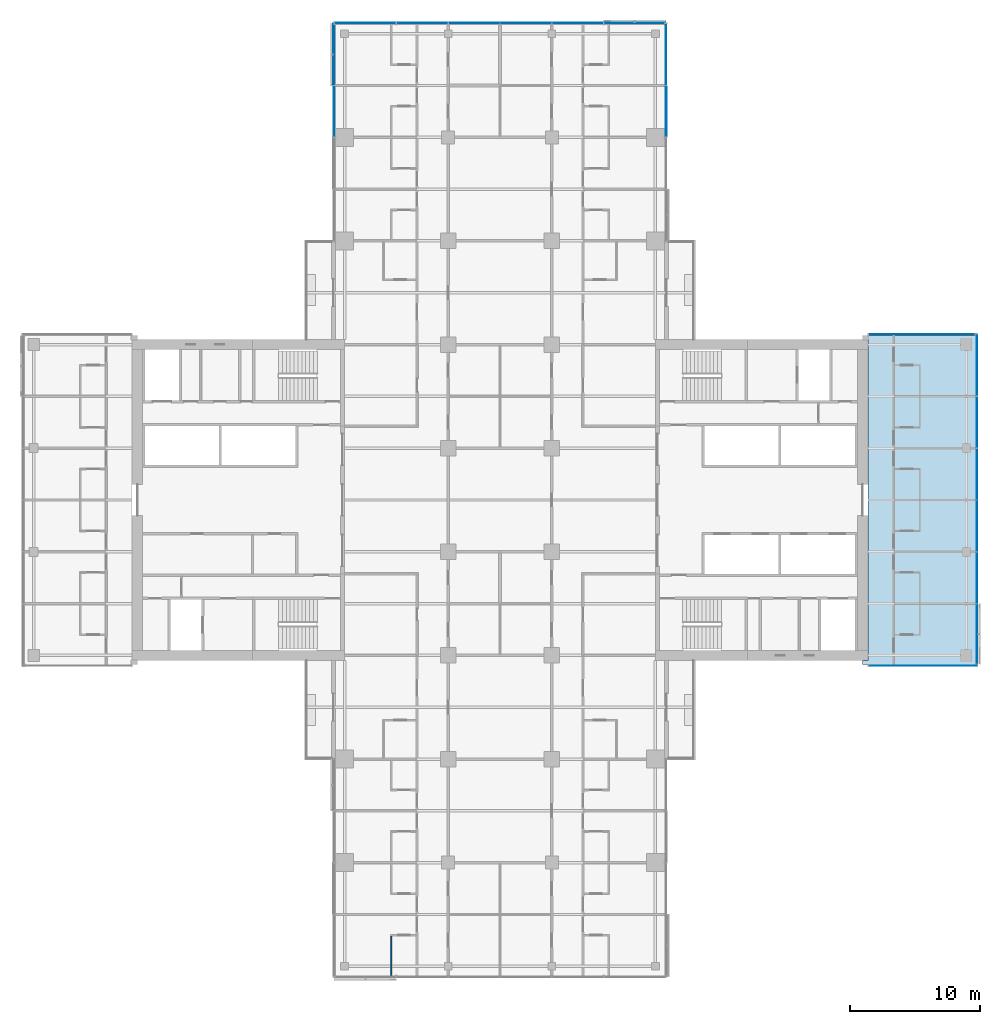
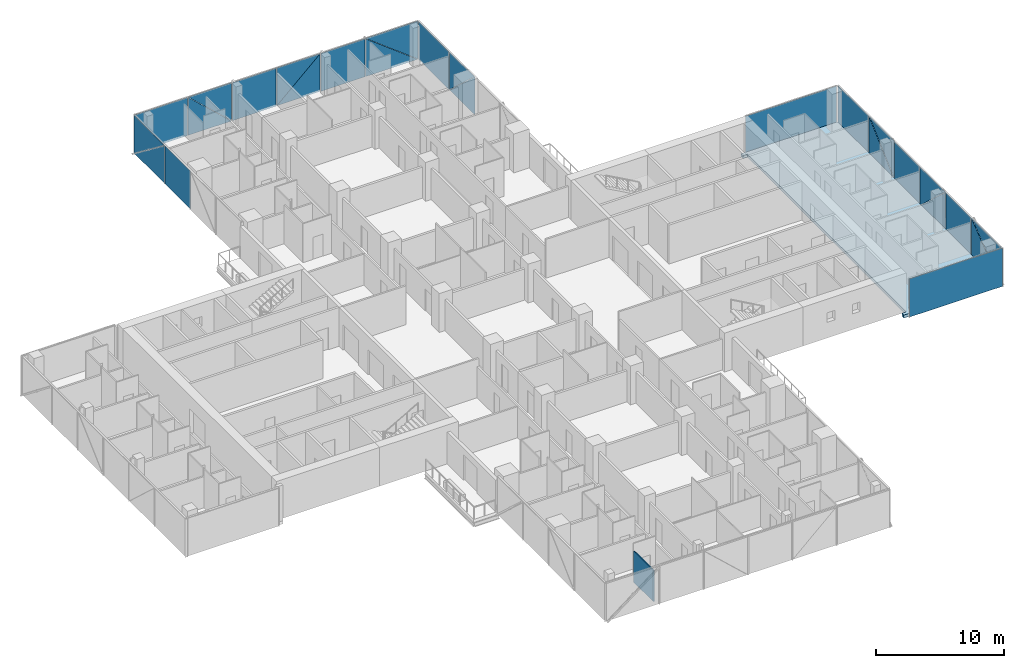
# One storey, part 14 of 29: 26 plates, 1 slab, 1 wall, 6 elements without a shape of their own.
"""IFC4 building model written with IfcOpenShell, lengths in metres."""

from ifc_helpers import new_model, si_unit, direction, frame, frame_2d, origin, place, context, subcontext, project, spatial, polyline, rectangle, outline, extrude, material, layer, layer_set, type_object, element, aggregate, save


model = new_model("IFC4")

# Units and contexts
model_context = context("Model", 3, precision=1e-05, world=origin(), true_north=direction((0.0, 1.0)))
body_context = subcontext(model_context, "Body", "Model", "MODEL_VIEW")
ifc_project = project(units=[si_unit("LENGTHUNIT", "METRE"), si_unit("AREAUNIT", "SQUARE_METRE"), si_unit("VOLUMEUNIT", "CUBIC_METRE"), si_unit("PLANEANGLEUNIT", "RADIAN"), si_unit("MASSUNIT", "GRAM", prefix="KILO")], contexts=[model_context])

# Site, building, storey
site_placement = place(None, origin())
site = spatial("IfcSite", under=ifc_project, at=site_placement, CompositionType="ELEMENT")
building_placement = place(site_placement, origin())
building = spatial("IfcBuilding", under=site, at=building_placement, Name="Crosswind Convention Tower", CompositionType="ELEMENT")
storey_placement = place(building_placement, frame((0.0, 0.0, 60.89990234375)))
storey = spatial("IfcBuildingStorey", under=building, at=storey_placement, Name="L09", CompositionType="ELEMENT", Elevation=60.89990234375)

# Slab
ifc_material_1 = material(Name="Concrete C40/50", Category="concrete")
ifc_layer_1 = layer(ifc_material_1, 0.280029296875)
ifc_layer_set_1 = layer_set([ifc_layer_1], Name="Concrete C40/50")
slab_type = type_object("IfcSlabType", Name="Composite floor slab 280", PredefinedType="FLOOR", material=ifc_layer_set_1)
slab_placement = place(storey_placement, frame((0.0, 0.0, -0.27978515625)))
element("IfcSlab", 1, at=slab_placement, inside=storey, type_object=slab_type, Name="Floor slab L09 part 3", PredefinedType="FLOOR", context=body_context, shape_type="SweptSolid", body=[
    extrude(outline(polyline([(153.0, 112.699951171875), (161.0, 112.699951171875), (161.699951171875, 112.699951171875), (161.699951171875, 112.0), (161.699951171875, 88.0), (161.699951171875, 87.300048828125), (161.0, 87.300048828125), (153.0, 87.300048828125), (153.0, 87.60009765625), (153.39990234375, 87.60009765625), (153.39990234375, 112.39990234375), (153.0, 112.39990234375), (153.0, 112.699951171875)])), origin(), (0.0, 0.0, 1.0), 0.27978515625),
])

# Curtain wall, plate
ifc_material_2 = material(Name="Aluminium unitised curtain wall", Category="aluminium")
curtain_wall_type_1 = type_object("IfcCurtainWallType", Name="CORE END SLOT WALL 160", PredefinedType="USERDEFINED", material=ifc_material_2)
curtain_wall_1_placement = place(storey_placement, origin())
curtain_wall_1 = element("IfcCurtainWall", 2, at=curtain_wall_1_placement, inside=storey, type_object=curtain_wall_type_1, Name="CW6 L09 E-N.1-1 slot", ObjectType="UNITISED", PredefinedType="USERDEFINED")
ifc_material_3 = material(Name="Laminated insulating glass unit", Category="glass")
ifc_layer_2 = layer(ifc_material_3, 0.02587890625)
ifc_layer_set_2 = layer_set([ifc_layer_2], Name="TRIANGULAR GLASS PANEL 26")
plate_type_1 = type_object("IfcPlateType", Name="TRIANGULAR GLASS PANEL 26", PredefinedType="CURTAIN_PANEL", material=ifc_layer_set_2)
plate_1_placement = place(storey_placement, frame((161.64990234375, 112.806640625, -0.27978515625), z_axis=(0.0, 0.999999919464, 0.00040133776), x_axis=(-1.0, 0.0, 0.0)))
plate_1 = element("IfcPlate", 3, at=plate_1_placement, type_object=plate_type_1, Name="CW6 panel 1.1", PredefinedType="CURTAIN_PANEL", context=body_context, shape_type="SweptSolid", body=[
    extrude(outline(polyline([(0.0, 0.0), (8.199951171875, 0.0), (8.199951171875, 3.6499026376985664), (0.0, 3.6499026376985664), (0.0, 0.0)])), origin(), (0.0, 0.0, -1.0), 0.02587890625),
])
aggregate(curtain_wall_1, [plate_1])

curtain_wall_2_placement = place(storey_placement, origin())
curtain_wall_2 = element("IfcCurtainWall", 4, at=curtain_wall_2_placement, inside=storey, type_object=curtain_wall_type_1, Name="CW6 L09 E-S.2-1 slot", ObjectType="UNITISED", PredefinedType="USERDEFINED")
plate_2_placement = place(storey_placement, frame((153.449951171875, 87.193359375, -0.27978515625), z_axis=(0.0, -0.999999919464, 0.00040133776), x_axis=(1.0, 0.0, 0.0)))
plate_2 = element("IfcPlate", 5, at=plate_2_placement, type_object=plate_type_1, Name="CW6 panel 1.1", PredefinedType="CURTAIN_PANEL", context=body_context, shape_type="SweptSolid", body=[
    extrude(outline(polyline([(0.0, 0.0), (8.400146484375, 0.0), (8.400146484375, 3.649902637698567), (0.0, 3.649902637698567), (0.0, 0.0)])), origin(), (0.0, 0.0, -1.0), 0.02587890625),
])
aggregate(curtain_wall_2, [plate_2])

# Curtain wall, plates
curtain_wall_type_2 = type_object("IfcCurtainWallType", Name="HOTEL UNITISED WALL 200", PredefinedType="USERDEFINED", material=ifc_material_2)
curtain_wall_3_placement = place(storey_placement, origin())
curtain_wall_3 = element("IfcCurtainWall", 6, at=curtain_wall_3_placement, inside=storey, type_object=curtain_wall_type_2, Name="CW2 L09 E-TIP 1", ObjectType="UNITISED", PredefinedType="USERDEFINED")
ifc_layer_3 = layer(ifc_material_3, 0.028076171875)
ifc_layer_set_3 = layer_set([ifc_layer_3], Name="TRIANGULAR GLASS PANEL 28")
plate_type_2 = type_object("IfcPlateType", Name="TRIANGULAR GLASS PANEL 28", PredefinedType="CURTAIN_PANEL", material=ifc_layer_set_3)
plate_3_placement = place(storey_placement, frame((161.82861328125, 91.967529296875, -0.27978515625), z_axis=(0.999999943209, 0.0, 0.000337018045), x_axis=(-0.000337018045, 0.0, 0.999999943209)))
plate_3 = element("IfcPlate", 7, at=plate_3_placement, type_object=plate_type_2, Name="CW2 panel 1.1", PredefinedType="CURTAIN_PANEL", context=body_context, shape_type="SweptSolid", body=[
    extrude(outline(polyline([(0.0, 0.0), (3.622070518199496, 0.0), (0.0, 4.58642578125), (0.0, 0.0)])), origin(), (0.0, 0.0, -1.0), 0.028076171875),
])
plate_4_placement = place(storey_placement, frame((161.857177734375, 87.364990234375, 3.35498046875), z_axis=(0.999999918222, 0.0, 0.000404421644), x_axis=(0.000404421644, 0.0, -0.999999918222)))
plate_4 = element("IfcPlate", 8, at=plate_4_placement, type_object=plate_type_2, Name="CW2 panel 1.2", PredefinedType="CURTAIN_PANEL", context=body_context, shape_type="SweptSolid", body=[
    extrude(outline(polyline([(0.0, 0.0), (3.6220706087072707, 0.0), (0.0, 4.586425781249999), (0.0, 0.0)])), origin(), (0.0, 0.0, -1.0), 0.028076171875),
])
plate_5_placement = place(storey_placement, frame((161.82861328125, 92.032470703125, -0.27978515625), z_axis=(0.999999943605, 0.0, 0.000335840927), x_axis=(0.0, 1.0, 0.0)))
plate_5 = element("IfcPlate", 9, at=plate_5_placement, type_object=plate_type_2, Name="CW2 panel 2.1", PredefinedType="CURTAIN_PANEL", context=body_context, shape_type="SweptSolid", body=[
    extrude(outline(polyline([(0.0, 0.0), (3.93505859375, 0.0), (3.93505859375, 3.63476582998104), (0.0, 3.63476582998104), (0.0, 0.0)])), origin(), (0.0, 0.0, -1.0), 0.028076171875),
])
plate_6_placement = place(storey_placement, frame((161.827392578125, 99.967529296875, 3.35498046875), z_axis=(0.999999943186, 0.0, 0.000337086208), x_axis=(0.0, -1.0, 0.0)))
plate_6 = element("IfcPlate", 10, at=plate_6_placement, type_object=plate_type_2, Name="CW2 panel 3.1", PredefinedType="CURTAIN_PANEL", context=body_context, shape_type="SweptSolid", body=[
    extrude(outline(polyline([(0.0, 0.0), (3.92041015625, 0.0), (0.0, 3.6213380963660997), (0.0, 0.0)])), origin(), (0.0, 0.0, -1.0), 0.028076171875),
])
plate_7_placement = place(storey_placement, frame((161.858642578125, 96.032470703125, -0.27978515625), z_axis=(0.999999918188, 0.0, 0.000404503439), x_axis=(0.0, 1.0, 0.0)))
plate_7 = element("IfcPlate", 11, at=plate_7_placement, type_object=plate_type_2, Name="CW2 panel 3.2", PredefinedType="CURTAIN_PANEL", context=body_context, shape_type="SweptSolid", body=[
    extrude(outline(polyline([(0.0, 0.0), (3.92041015625, 0.0), (0.0, 3.6213381868921792), (0.0, 0.0)])), origin(), (0.0, 0.0, -1.0), 0.028076171875),
])
plate_8_placement = place(storey_placement, frame((161.82861328125, 100.032470703125, -0.27978515625), z_axis=(0.999999943605, 0.0, 0.000335840927), x_axis=(0.0, 1.0, 0.0)))
plate_8 = element("IfcPlate", 12, at=plate_8_placement, type_object=plate_type_2, Name="CW2 panel 4.1", PredefinedType="CURTAIN_PANEL", context=body_context, shape_type="SweptSolid", body=[
    extrude(outline(polyline([(0.0, 0.0), (3.93505859375, 0.0), (3.93505859375, 3.63476582998104), (0.0, 3.63476582998104), (0.0, 0.0)])), origin(), (0.0, 0.0, -1.0), 0.028076171875),
])
plate_9_placement = place(storey_placement, frame((161.82861328125, 107.967529296875, -0.27978515625), z_axis=(0.999999943186, 0.0, 0.000337086208), x_axis=(-0.000337086208, 0.0, 0.999999943186)))
plate_9 = element("IfcPlate", 13, at=plate_9_placement, type_object=plate_type_2, Name="CW2 panel 5.1", PredefinedType="CURTAIN_PANEL", context=body_context, shape_type="SweptSolid", body=[
    extrude(outline(polyline([(0.0, 0.0), (3.6213380963660997, 0.0), (0.0, 3.920410156250001), (0.0, 0.0)])), origin(), (0.0, 0.0, -1.0), 0.028076171875),
])
plate_10_placement = place(storey_placement, frame((161.857177734375, 104.032470703125, 3.35498046875), z_axis=(0.999999918188, 0.0, 0.000404503439), x_axis=(0.000404503439, 0.0, -0.999999918188)))
plate_10 = element("IfcPlate", 14, at=plate_10_placement, type_object=plate_type_2, Name="CW2 panel 5.2", PredefinedType="CURTAIN_PANEL", context=body_context, shape_type="SweptSolid", body=[
    extrude(outline(polyline([(0.0, 0.0), (3.6213381868921797, 0.0), (0.0, 3.92041015625), (0.0, 0.0)])), origin(), (0.0, 0.0, -1.0), 0.028076171875),
])
plate_11_placement = place(storey_placement, frame((161.82861328125, 108.032470703125, -0.27978515625), z_axis=(0.999999943605, 0.0, 0.000335840927), x_axis=(0.0, 1.0, 0.0)))
plate_11 = element("IfcPlate", 15, at=plate_11_placement, type_object=plate_type_2, Name="CW2 panel 6.1", PredefinedType="CURTAIN_PANEL", context=body_context, shape_type="SweptSolid", body=[
    extrude(outline(polyline([(0.0, 0.0), (4.762451171875, 0.0), (4.762451171875, 3.63476582998104), (0.0, 3.63476582998104), (0.0, 0.0)])), origin(), (0.0, 0.0, -1.0), 0.028076171875),
])
aggregate(curtain_wall_3, [plate_3, plate_4, plate_5, plate_6, plate_7, plate_8, plate_9, plate_10, plate_11])

curtain_wall_4_placement = place(storey_placement, origin())
curtain_wall_4 = element("IfcCurtainWall", 16, at=curtain_wall_4_placement, inside=storey, type_object=curtain_wall_type_2, Name="CW2 L09 N-E 1", ObjectType="UNITISED", PredefinedType="USERDEFINED")
plate_12_placement = place(storey_placement, frame((137.827392578125, 131.967529296875, 3.35498046875), z_axis=(0.999999943186, 0.0, 0.000337086208), x_axis=(0.0, -1.0, 0.0)))
plate_12 = element("IfcPlate", 17, at=plate_12_placement, type_object=plate_type_2, Name="CW2 panel 3.1", PredefinedType="CURTAIN_PANEL", context=body_context, shape_type="SweptSolid", body=[
    extrude(outline(polyline([(0.0, 0.0), (3.92041015625, 0.0), (0.0, 3.6213380963660997), (0.0, 0.0)])), origin(), (0.0, 0.0, -1.0), 0.028076171875),
])
plate_13_placement = place(storey_placement, frame((137.858642578125, 128.032470703125, -0.27978515625), z_axis=(0.999999918188, 0.0, 0.000404503439), x_axis=(0.0, 1.0, 0.0)))
plate_13 = element("IfcPlate", 18, at=plate_13_placement, type_object=plate_type_2, Name="CW2 panel 3.2", PredefinedType="CURTAIN_PANEL", context=body_context, shape_type="SweptSolid", body=[
    extrude(outline(polyline([(0.0, 0.0), (3.92041015625, 0.0), (0.0, 3.6213381868921792), (0.0, 0.0)])), origin(), (0.0, 0.0, -1.0), 0.028076171875),
])
plate_14_placement = place(storey_placement, frame((137.82861328125, 132.032470703125, -0.27978515625), z_axis=(0.999999943605, 0.0, 0.000335840927), x_axis=(0.0, 1.0, 0.0)))
plate_14 = element("IfcPlate", 19, at=plate_14_placement, type_object=plate_type_2, Name="CW2 panel 4.1", PredefinedType="CURTAIN_PANEL", context=body_context, shape_type="SweptSolid", body=[
    extrude(outline(polyline([(0.0, 0.0), (4.735107421875, 0.0), (4.735107421875, 3.63476582998104), (0.0, 3.63476582998104), (0.0, 0.0)])), origin(), (0.0, 0.0, -1.0), 0.028076171875),
])
aggregate(curtain_wall_4, [plate_12, plate_13, plate_14])

curtain_wall_5_placement = place(storey_placement, origin())
curtain_wall_5 = element("IfcCurtainWall", 20, at=curtain_wall_5_placement, inside=storey, type_object=curtain_wall_type_2, Name="CW2 L09 N-TIP 1", ObjectType="UNITISED", PredefinedType="USERDEFINED")
plate_15_placement = place(storey_placement, frame((133.032470703125, 136.82861328125, -0.27978515625), z_axis=(0.0, 0.999999943217, 0.00033699533), x_axis=(0.0, -0.00033699533, 0.999999943217)))
plate_15 = element("IfcPlate", 21, at=plate_15_placement, type_object=plate_type_2, Name="CW2 panel 1.1", PredefinedType="CURTAIN_PANEL", context=body_context, shape_type="SweptSolid", body=[
    extrude(outline(polyline([(0.0, 0.0), (3.6223146588106325, 0.0), (0.0, 4.718505859374999), (0.0, 0.0)])), origin(), (0.0, 0.0, -1.0), 0.028076171875),
])
plate_16_placement = place(storey_placement, frame((137.767578125, 136.857177734375, 3.35498046875), z_axis=(0.0, 0.999999918233, 0.000404394386), x_axis=(0.0, 0.000404394386, -0.999999918233)))
plate_16 = element("IfcPlate", 22, at=plate_16_placement, type_object=plate_type_2, Name="CW2 panel 1.2", PredefinedType="CURTAIN_PANEL", context=body_context, shape_type="SweptSolid", body=[
    extrude(outline(polyline([(0.0, 0.0), (3.6223147493123067, 0.0), (0.0, 4.71875), (0.0, 0.0)])), origin(), (0.0, 0.0, -1.0), 0.028076171875),
])
plate_17_placement = place(storey_placement, frame((132.967529296875, 136.82861328125, -0.27978515625), z_axis=(0.0, 0.999999943605, 0.000335840927), x_axis=(-1.0, 0.0, 0.0)))
plate_17 = element("IfcPlate", 23, at=plate_17_placement, type_object=plate_type_2, Name="CW2 panel 2.1", PredefinedType="CURTAIN_PANEL", context=body_context, shape_type="SweptSolid", body=[
    extrude(outline(polyline([(0.0, 0.0), (3.93505859375, 0.0), (3.93505859375, 3.63476582998104), (0.0, 3.63476582998104), (0.0, 0.0)])), origin(), (0.0, 0.0, -1.0), 0.028076171875),
])
plate_18_placement = place(storey_placement, frame((125.032470703125, 136.827392578125, 3.35498046875), z_axis=(0.0, 0.999999943186, 0.000337086208), x_axis=(1.0, 0.0, 0.0)))
plate_18 = element("IfcPlate", 24, at=plate_18_placement, type_object=plate_type_2, Name="CW2 panel 3.1", PredefinedType="CURTAIN_PANEL", context=body_context, shape_type="SweptSolid", body=[
    extrude(outline(polyline([(0.0, 0.0), (3.92041015625, 0.0), (0.0, 3.6213380963660997), (0.0, 0.0)])), origin(), (0.0, 0.0, -1.0), 0.028076171875),
])
plate_19_placement = place(storey_placement, frame((128.967529296875, 136.858642578125, -0.27978515625), z_axis=(0.0, 0.999999918188, 0.000404503439), x_axis=(-1.0, 0.0, 0.0)))
plate_19 = element("IfcPlate", 25, at=plate_19_placement, type_object=plate_type_2, Name="CW2 panel 3.2", PredefinedType="CURTAIN_PANEL", context=body_context, shape_type="SweptSolid", body=[
    extrude(outline(polyline([(0.0, 0.0), (3.92041015625, 0.0), (0.0, 3.6213381868921792), (0.0, 0.0)])), origin(), (0.0, 0.0, -1.0), 0.028076171875),
])
plate_20_placement = place(storey_placement, frame((124.967529296875, 136.82861328125, -0.27978515625), z_axis=(0.0, 0.999999943605, 0.000335840927), x_axis=(-1.0, 0.0, 0.0)))
plate_20 = element("IfcPlate", 26, at=plate_20_placement, type_object=plate_type_2, Name="CW2 panel 4.1", PredefinedType="CURTAIN_PANEL", context=body_context, shape_type="SweptSolid", body=[
    extrude(outline(polyline([(0.0, 0.0), (3.93505859375, 0.0), (3.93505859375, 3.63476582998104), (0.0, 3.63476582998104), (0.0, 0.0)])), origin(), (0.0, 0.0, -1.0), 0.028076171875),
])
plate_21_placement = place(storey_placement, frame((117.032470703125, 136.82861328125, -0.27978515625), z_axis=(0.0, 0.999999943186, 0.000337086208), x_axis=(0.0, -0.000337086208, 0.999999943186)))
plate_21 = element("IfcPlate", 27, at=plate_21_placement, type_object=plate_type_2, Name="CW2 panel 5.1", PredefinedType="CURTAIN_PANEL", context=body_context, shape_type="SweptSolid", body=[
    extrude(outline(polyline([(0.0, 0.0), (3.6213380963660997, 0.0), (0.0, 3.920410156250001), (0.0, 0.0)])), origin(), (0.0, 0.0, -1.0), 0.028076171875),
])
plate_22_placement = place(storey_placement, frame((120.967529296875, 136.857177734375, 3.35498046875), z_axis=(0.0, 0.999999918188, 0.000404503439), x_axis=(0.0, 0.000404503439, -0.999999918188)))
plate_22 = element("IfcPlate", 28, at=plate_22_placement, type_object=plate_type_2, Name="CW2 panel 5.2", PredefinedType="CURTAIN_PANEL", context=body_context, shape_type="SweptSolid", body=[
    extrude(outline(polyline([(0.0, 0.0), (3.6213381868921797, 0.0), (0.0, 3.92041015625), (0.0, 0.0)])), origin(), (0.0, 0.0, -1.0), 0.028076171875),
])
plate_23_placement = place(storey_placement, frame((116.967529296875, 136.82861328125, -0.27978515625), z_axis=(0.0, 0.999999943605, 0.000335840927), x_axis=(-1.0, 0.0, 0.0)))
plate_23 = element("IfcPlate", 29, at=plate_23_placement, type_object=plate_type_2, Name="CW2 panel 6.1", PredefinedType="CURTAIN_PANEL", context=body_context, shape_type="SweptSolid", body=[
    extrude(outline(polyline([(0.0, 0.0), (4.735107421875, 0.0), (4.735107421875, 3.63476582998104), (0.0, 3.63476582998104), (0.0, 0.0)])), origin(), (0.0, 0.0, -1.0), 0.028076171875),
])
aggregate(curtain_wall_5, [plate_15, plate_16, plate_17, plate_18, plate_19, plate_20, plate_21, plate_22, plate_23])

curtain_wall_6_placement = place(storey_placement, origin())
curtain_wall_6 = element("IfcCurtainWall", 30, at=curtain_wall_6_placement, inside=storey, type_object=curtain_wall_type_2, Name="CW2 L09 N-W 1", ObjectType="UNITISED", PredefinedType="USERDEFINED")
plate_24_placement = place(storey_placement, frame((112.17138671875, 132.032470703125, -0.27978515625), z_axis=(-0.999999943217, 0.0, 0.00033699533), x_axis=(0.00033699533, 0.0, 0.999999943217)))
plate_24 = element("IfcPlate", 31, at=plate_24_placement, type_object=plate_type_2, Name="CW2 panel 1.1", PredefinedType="CURTAIN_PANEL", context=body_context, shape_type="SweptSolid", body=[
    extrude(outline(polyline([(0.0, 0.0), (3.6223146588106325, 0.0), (0.0, 4.718505859374999), (0.0, 0.0)])), origin(), (0.0, 0.0, -1.0), 0.028076171875),
])
plate_25_placement = place(storey_placement, frame((112.142822265625, 136.767578125, 3.35498046875), z_axis=(-0.999999918233, 0.0, 0.000404394386), x_axis=(-0.000404394386, 0.0, -0.999999918233)))
plate_25 = element("IfcPlate", 32, at=plate_25_placement, type_object=plate_type_2, Name="CW2 panel 1.2", PredefinedType="CURTAIN_PANEL", context=body_context, shape_type="SweptSolid", body=[
    extrude(outline(polyline([(0.0, 0.0), (3.6223147493123067, 0.0), (0.0, 4.71875), (0.0, 0.0)])), origin(), (0.0, 0.0, -1.0), 0.028076171875),
])
plate_26_placement = place(storey_placement, frame((112.17138671875, 131.967529296875, -0.27978515625), z_axis=(-0.999999943605, 0.0, 0.000335840927), x_axis=(0.0, -1.0, 0.0)))
plate_26 = element("IfcPlate", 33, at=plate_26_placement, type_object=plate_type_2, Name="CW2 panel 2.1", PredefinedType="CURTAIN_PANEL", context=body_context, shape_type="SweptSolid", body=[
    extrude(outline(polyline([(0.0, 0.0), (3.93505859375, 0.0), (3.93505859375, 3.63476582998104), (0.0, 3.63476582998104), (0.0, 0.0)])), origin(), (0.0, 0.0, -1.0), 0.028076171875),
])
aggregate(curtain_wall_6, [plate_24, plate_25, plate_26])

# Wall
ifc_material_4 = material(Name="Water-resistant plasterboard partition", Category="gypsum")
ifc_layer_4 = layer(ifc_material_4, 0.10009765625)
ifc_layer_set_4 = layer_set([ifc_layer_4], Name="WET ROOM PARTITION 100")
wall_type = type_object("IfcWallType", Name="WET ROOM PARTITION 100", PredefinedType="PLUMBINGWALL", material=ifc_layer_set_4)
wall_placement = place(storey_placement, frame((116.60009765625, 63.300048828125, 0.0), z_axis=(0.0, 0.0, 1.0), x_axis=(0.0, 1.0, 0.0)))
element("IfcWall", 34, at=wall_placement, inside=storey, type_object=wall_type, Name="Wet Room Partition 95", PredefinedType="PLUMBINGWALL", context=body_context, shape_type="SweptSolid", body=[
    extrude(rectangle(XDim=3.050048828125, YDim=0.10009765625, at=frame_2d((1.52490234375, 0.0))), origin(), (0.0, 0.0, 1.0), 2.962890625),
])

save(model, "model.ifc")
